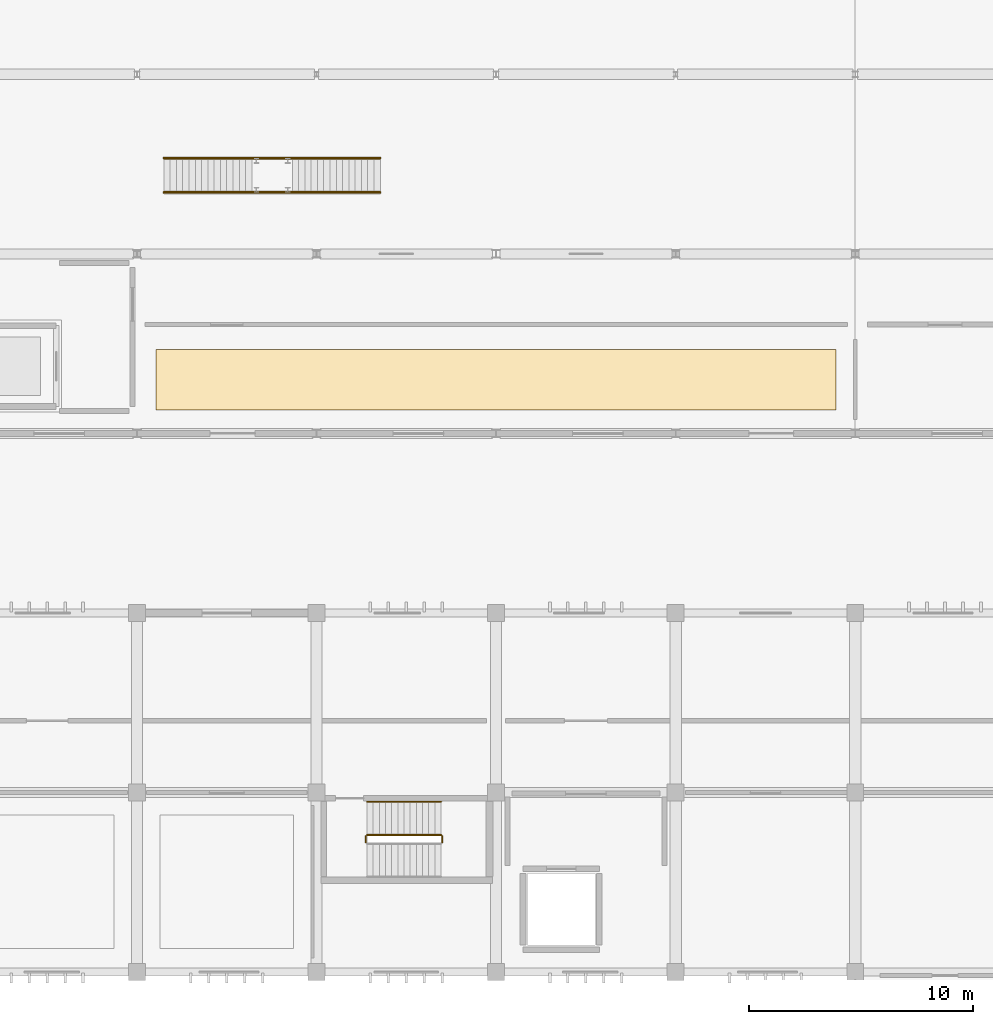
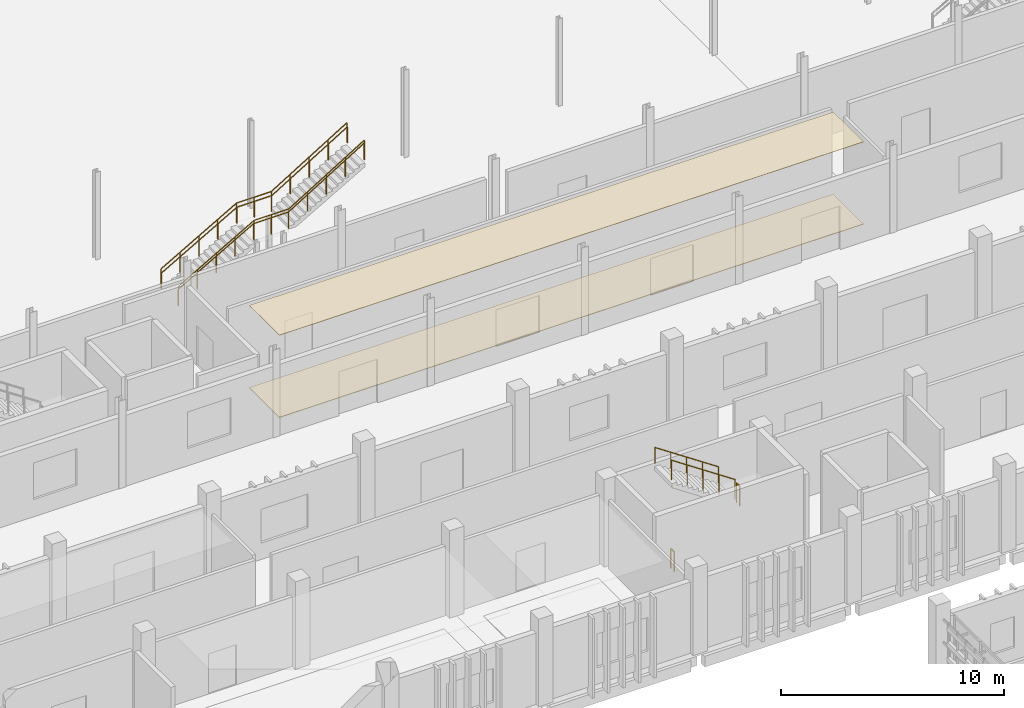
# One storey, part 111 of 117: 8 railings, 2 coverings.
"""IFC4 building model written with IfcOpenShell, lengths in metres."""

from ifc_helpers import new_model, si_unit, direction, frame, origin, origin_2d, place, context, subcontext, project, spatial, polyline, circle, outline, extrude, material, layer, layer_set, type_object, element, save


model = new_model("IFC4")

# Units and contexts
model_context = context("Model", 3, precision=1e-05, world=origin(), true_north=direction((0.0, 1.0)))
body_context = subcontext(model_context, "Body", "Model", "MODEL_VIEW")
ifc_project = project(units=[si_unit("LENGTHUNIT", "METRE"), si_unit("AREAUNIT", "SQUARE_METRE"), si_unit("VOLUMEUNIT", "CUBIC_METRE"), si_unit("PLANEANGLEUNIT", "RADIAN"), si_unit("MASSUNIT", "GRAM", prefix="KILO")], contexts=[model_context])

# Site, building, storey
site_placement = place(None, origin())
site = spatial("IfcSite", under=ifc_project, at=site_placement, CompositionType="ELEMENT")
building_placement = place(site_placement, origin())
building = spatial("IfcBuilding", under=site, at=building_placement, Name="Jelvoka-Kovrelna Polytechnic", CompositionType="ELEMENT")
storey_placement = place(building_placement, origin())
storey = spatial("IfcBuildingStorey", under=building, at=storey_placement, Name="L01", CompositionType="ELEMENT", Elevation=0.0)

# Coverings
ifc_material_1 = material(Name="Mineral fibre acoustic ceiling tile")
ifc_layer_1 = layer(ifc_material_1, 0.02490234375)
ifc_layer_set_1 = layer_set([ifc_layer_1], Name="Mineral fibre acoustic ceiling tile")
covering_type_1 = type_object("IfcCoveringType", Name="Covering_Acoustic_Ceiling_25", PredefinedType="CEILING", material=ifc_layer_set_1)
covering_1_placement = place(storey_placement, frame((0.0, 0.0, 4.510009765625)))
element("IfcCovering", 1, at=covering_1_placement, inside=storey, type_object=covering_type_1, Name="L01 acoustic ceiling 016", PredefinedType="CEILING", context=body_context, shape_type="SweptSolid", body=[
    extrude(outline(polyline([(112.85009765625, 81.050048828125), (143.14990234375, 81.050048828125), (143.14990234375, 83.75), (112.85009765625, 83.75), (112.85009765625, 81.050048828125)])), origin(), (0.0, 0.0, 1.0), 0.02490234375),
])
ifc_material_2 = material(Name="Polished epoxy terrazzo flooring")
ifc_layer_2 = layer(ifc_material_2, 0.030029296875)
ifc_layer_set_2 = layer_set([ifc_layer_2], Name="Polished epoxy terrazzo flooring")
covering_type_2 = type_object("IfcCoveringType", Name="Covering_Terrazzo_Floor_30", PredefinedType="FLOORING", material=ifc_layer_set_2)
covering_2_placement = place(storey_placement, origin())
element("IfcCovering", 2, at=covering_2_placement, inside=storey, type_object=covering_type_2, Name="L01 terrazzo floor finish 016", PredefinedType="FLOORING", context=body_context, shape_type="SweptSolid", body=[
    extrude(outline(polyline([(112.85009765625, 81.050048828125), (143.14990234375, 81.050048828125), (143.14990234375, 83.75), (112.85009765625, 83.75), (112.85009765625, 81.050048828125)])), origin(), (0.0, 0.0, 1.0), 0.030029296875),
])

# Railings
ifc_material_3 = material(Name="Powder-coated steel stair guard", Category="steel")
railing_type_1 = type_object("IfcRailingType", Name="Railing_Stair_Guard_1100", PredefinedType="GUARDRAIL", material=ifc_material_3)
railing_1_placement = place(storey_placement, frame((125.60009765625, 61.780029296875, 2.39990234375)))
element("IfcRailing", 3, at=railing_1_placement, inside=storey, type_object=railing_type_1, Name="L01 ST11 stair guard 2", PredefinedType="GUARDRAIL", context=body_context, shape_type="SweptSolid", body=[
    extrude(circle(Radius=0.02392578125, at=origin_2d()), frame((0.0, 0.0, 1.076171875), z_axis=(0.0, 1.0, 0.0), x_axis=(-1.0, 0.0, 0.0)), (0.0, 0.0, 1.0), 0.280029296875),
    extrude(circle(Radius=0.02099609375, at=origin_2d()), origin(), (0.0, 0.0, 1.0), 1.052001953125),
    extrude(circle(Radius=0.02099609375, at=origin_2d()), frame((0.0, 0.280029296875, 0.0)), (0.0, 0.0, 1.0), 1.052001953125),
])
railing_2_placement = place(storey_placement, frame((125.550048828125, 62.110107421875, 2.584716796875)))
element("IfcRailing", 4, at=railing_2_placement, inside=storey, type_object=railing_type_1, Name="L01 ST11 stair guard 3", PredefinedType="GUARDRAIL", context=body_context, shape_type="SweptSolid", body=[
    extrude(circle(Radius=0.02392578125, at=origin_2d()), frame((0.0, 0.0, 1.076171875), z_axis=(-0.830269453126, 0.0, 0.557362211857), x_axis=(0.0, -1.0, 0.0)), (0.0, 0.0, 1.0), 3.974609375),
    extrude(circle(Radius=0.02099609375, at=origin_2d()), origin(), (0.0, 0.0, 1.0), 1.052001953125),
    extrude(circle(Radius=0.02099609375, at=origin_2d()), frame((-0.824951171875, 0.0, 0.5537109375)), (0.0, 0.0, 1.0), 1.052001953125),
    extrude(circle(Radius=0.02099609375, at=origin_2d()), frame((-1.64990234375, 0.0, 1.107666015625)), (0.0, 0.0, 1.0), 1.052001953125),
    extrude(circle(Radius=0.02099609375, at=origin_2d()), frame((-2.47509765625, 0.0, 1.66162109375)), (0.0, 0.0, 1.0), 1.052001953125),
    extrude(circle(Radius=0.02099609375, at=origin_2d()), frame((-3.300048828125, 0.0, 2.21533203125)), (0.0, 0.0, 1.0), 1.052001953125),
])
railing_3_placement = place(storey_placement, frame((122.199951171875, 61.780029296875, 0.0)))
element("IfcRailing", 5, at=railing_3_placement, inside=storey, type_object=railing_type_1, Name="L01 ST11 stair guard 4", PredefinedType="GUARDRAIL", context=body_context, shape_type="SweptSolid", body=[
    extrude(circle(Radius=0.02392578125, at=origin_2d()), frame((0.0, 0.0, 1.076171875), z_axis=(0.0, 1.0, 0.0), x_axis=(-1.0, 0.0, 0.0)), (0.0, 0.0, 1.0), 0.280029296875),
    extrude(circle(Radius=0.02099609375, at=origin_2d()), origin(), (0.0, 0.0, 1.0), 1.052001953125),
    extrude(circle(Radius=0.02099609375, at=origin_2d()), frame((0.0, 0.280029296875, 0.0)), (0.0, 0.0, 1.0), 1.052001953125),
])
railing_4_placement = place(storey_placement, frame((113.199951171875, 90.715087890625, 0.159912109375)))
element("IfcRailing", 6, at=railing_4_placement, inside=storey, type_object=railing_type_1, Name="L01 ST12 flight guard S", PredefinedType="GUARDRAIL", context=body_context, shape_type="SweptSolid", body=[
    extrude(circle(Radius=0.02392578125, at=origin_2d()), frame((0.0, 0.0, 1.076171875), z_axis=(0.86825312469, 0.0, 0.496121468458), x_axis=(0.0, 1.0, 0.0)), (0.0, 0.0, 1.0), 4.514892578125),
    extrude(circle(Radius=0.02392578125, at=origin_2d()), frame((3.920166015625, 0.0, 3.31591796875), z_axis=(1.0, 0.0, 0.0), x_axis=(0.0, 1.0, 0.0)), (0.0, 0.0, 1.0), 1.7998046875),
    extrude(circle(Radius=0.02392578125, at=origin_2d()), frame((5.719970703125, 0.0, 3.31591796875), z_axis=(0.852846959695, 0.0, 0.522160955394), x_axis=(0.0, 1.0, 0.0)), (0.0, 0.0, 1.0), 4.5966796875),
    extrude(circle(Radius=0.02099609375, at=origin_2d()), origin(), (0.0, 0.0, 1.0), 1.052001953125),
    extrude(circle(Radius=0.02099609375, at=origin_2d()), frame((0.97998046875, 0.0, 0.56005859375)), (0.0, 0.0, 1.0), 1.052001953125),
    extrude(circle(Radius=0.02099609375, at=origin_2d()), frame((1.9599609375, 0.0, 1.1201171875)), (0.0, 0.0, 1.0), 1.052001953125),
    extrude(circle(Radius=0.02099609375, at=origin_2d()), frame((2.940185546875, 0.0, 1.679931640625)), (0.0, 0.0, 1.0), 1.052001953125),
    extrude(circle(Radius=0.02099609375, at=origin_2d()), frame((3.920166015625, 0.0, 2.239990234375)), (0.0, 0.0, 1.0), 1.052001953125),
    extrude(circle(Radius=0.02099609375, at=origin_2d()), frame((4.820068359375, 0.0, 2.239990234375)), (0.0, 0.0, 1.0), 1.052001953125),
    extrude(circle(Radius=0.02099609375, at=origin_2d()), frame((5.719970703125, 0.0, 2.239990234375)), (0.0, 0.0, 1.0), 1.052001953125),
    extrude(circle(Radius=0.02099609375, at=origin_2d()), frame((6.699951171875, 0.0, 2.840087890625)), (0.0, 0.0, 1.0), 1.052001953125),
    extrude(circle(Radius=0.02099609375, at=origin_2d()), frame((7.68017578125, 0.0, 3.43994140625)), (0.0, 0.0, 1.0), 1.052001953125),
    extrude(circle(Radius=0.02099609375, at=origin_2d()), frame((8.66015625, 0.0, 4.0400390625)), (0.0, 0.0, 1.0), 1.052001953125),
    extrude(circle(Radius=0.02099609375, at=origin_2d()), frame((9.64013671875, 0.0, 4.64013671875)), (0.0, 0.0, 1.0), 1.052001953125),
])
railing_5_placement = place(storey_placement, frame((113.199951171875, 92.284912109375, 0.159912109375)))
element("IfcRailing", 7, at=railing_5_placement, inside=storey, type_object=railing_type_1, Name="L01 ST12 flight guard N", PredefinedType="GUARDRAIL", context=body_context, shape_type="SweptSolid", body=[
    extrude(circle(Radius=0.02392578125, at=origin_2d()), frame((0.0, 0.0, 1.076171875), z_axis=(0.86825312469, 0.0, 0.496121468458), x_axis=(0.0, 1.0, 0.0)), (0.0, 0.0, 1.0), 4.514892578125),
    extrude(circle(Radius=0.02392578125, at=origin_2d()), frame((3.920166015625, 0.0, 3.31591796875), z_axis=(1.0, 0.0, 0.0), x_axis=(0.0, 1.0, 0.0)), (0.0, 0.0, 1.0), 1.7998046875),
    extrude(circle(Radius=0.02392578125, at=origin_2d()), frame((5.719970703125, 0.0, 3.31591796875), z_axis=(0.852846959695, 0.0, 0.522160955394), x_axis=(0.0, 1.0, 0.0)), (0.0, 0.0, 1.0), 4.5966796875),
    extrude(circle(Radius=0.02099609375, at=origin_2d()), origin(), (0.0, 0.0, 1.0), 1.052001953125),
    extrude(circle(Radius=0.02099609375, at=origin_2d()), frame((0.97998046875, 0.0, 0.56005859375)), (0.0, 0.0, 1.0), 1.052001953125),
    extrude(circle(Radius=0.02099609375, at=origin_2d()), frame((1.9599609375, 0.0, 1.1201171875)), (0.0, 0.0, 1.0), 1.052001953125),
    extrude(circle(Radius=0.02099609375, at=origin_2d()), frame((2.940185546875, 0.0, 1.679931640625)), (0.0, 0.0, 1.0), 1.052001953125),
    extrude(circle(Radius=0.02099609375, at=origin_2d()), frame((3.920166015625, 0.0, 2.239990234375)), (0.0, 0.0, 1.0), 1.052001953125),
    extrude(circle(Radius=0.02099609375, at=origin_2d()), frame((4.820068359375, 0.0, 2.239990234375)), (0.0, 0.0, 1.0), 1.052001953125),
    extrude(circle(Radius=0.02099609375, at=origin_2d()), frame((5.719970703125, 0.0, 2.239990234375)), (0.0, 0.0, 1.0), 1.052001953125),
    extrude(circle(Radius=0.02099609375, at=origin_2d()), frame((6.699951171875, 0.0, 2.840087890625)), (0.0, 0.0, 1.0), 1.052001953125),
    extrude(circle(Radius=0.02099609375, at=origin_2d()), frame((7.68017578125, 0.0, 3.43994140625)), (0.0, 0.0, 1.0), 1.052001953125),
    extrude(circle(Radius=0.02099609375, at=origin_2d()), frame((8.66015625, 0.0, 4.0400390625)), (0.0, 0.0, 1.0), 1.052001953125),
    extrude(circle(Radius=0.02099609375, at=origin_2d()), frame((9.64013671875, 0.0, 4.64013671875)), (0.0, 0.0, 1.0), 1.052001953125),
])
ifc_material_4 = material(Name="Brushed stainless steel handrail", Category="steel")
railing_type_2 = type_object("IfcRailingType", Name="Railing_Stair_Handrail_900", PredefinedType="HANDRAIL", material=ifc_material_4)
railing_6_placement = place(storey_placement, frame((125.550048828125, 63.590087890625, 2.584716796875)))
element("IfcRailing", 8, at=railing_6_placement, inside=storey, type_object=railing_type_2, Name="L01 ST11 stair handrail 2", PredefinedType="HANDRAIL", context=body_context, shape_type="SweptSolid", body=[
    extrude(circle(Radius=0.02392578125, at=origin_2d()), frame((0.0, 0.0, 0.8759765625), z_axis=(-0.830269453126, 0.0, 0.557362211857), x_axis=(0.0, -1.0, 0.0)), (0.0, 0.0, 1.0), 3.974609375),
    extrude(circle(Radius=0.02099609375, at=origin_2d()), origin(), (0.0, 0.0, 1.0), 0.851806640625),
    extrude(circle(Radius=0.02099609375, at=origin_2d()), frame((-0.824951171875, 0.0, 0.5537109375)), (0.0, 0.0, 1.0), 0.851806640625),
    extrude(circle(Radius=0.02099609375, at=origin_2d()), frame((-1.64990234375, 0.0, 1.107666015625)), (0.0, 0.0, 1.0), 0.851806640625),
    extrude(circle(Radius=0.02099609375, at=origin_2d()), frame((-2.47509765625, 0.0, 1.66162109375)), (0.0, 0.0, 1.0), 0.851806640625),
    extrude(circle(Radius=0.02099609375, at=origin_2d()), frame((-3.300048828125, 0.0, 2.21533203125)), (0.0, 0.0, 1.0), 0.851806640625),
])
railing_7_placement = place(storey_placement, frame((113.199951171875, 90.7548828125, 0.159912109375)))
element("IfcRailing", 9, at=railing_7_placement, inside=storey, type_object=railing_type_2, Name="L01 ST12 handrail S", PredefinedType="HANDRAIL", context=body_context, shape_type="SweptSolid", body=[
    extrude(circle(Radius=0.02392578125, at=origin_2d()), frame((0.0, 0.0, 0.8759765625), z_axis=(0.86825312469, 0.0, 0.496121468458), x_axis=(0.0, 1.0, 0.0)), (0.0, 0.0, 1.0), 4.514892578125),
    extrude(circle(Radius=0.02392578125, at=origin_2d()), frame((3.920166015625, 0.0, 3.11572265625), z_axis=(1.0, 0.0, 0.0), x_axis=(0.0, 1.0, 0.0)), (0.0, 0.0, 1.0), 1.7998046875),
    extrude(circle(Radius=0.02392578125, at=origin_2d()), frame((5.719970703125, 0.0, 3.11572265625), z_axis=(0.852846959695, 0.0, 0.522160955394), x_axis=(0.0, 1.0, 0.0)), (0.0, 0.0, 1.0), 4.5966796875),
    extrude(circle(Radius=0.02099609375, at=origin_2d()), origin(), (0.0, 0.0, 1.0), 0.851806640625),
    extrude(circle(Radius=0.02099609375, at=origin_2d()), frame((0.97998046875, 0.0, 0.56005859375)), (0.0, 0.0, 1.0), 0.851806640625),
    extrude(circle(Radius=0.02099609375, at=origin_2d()), frame((1.9599609375, 0.0, 1.1201171875)), (0.0, 0.0, 1.0), 0.851806640625),
    extrude(circle(Radius=0.02099609375, at=origin_2d()), frame((2.940185546875, 0.0, 1.679931640625)), (0.0, 0.0, 1.0), 0.851806640625),
    extrude(circle(Radius=0.02099609375, at=origin_2d()), frame((3.920166015625, 0.0, 2.239990234375)), (0.0, 0.0, 1.0), 0.851806640625),
    extrude(circle(Radius=0.02099609375, at=origin_2d()), frame((4.820068359375, 0.0, 2.239990234375)), (0.0, 0.0, 1.0), 0.851806640625),
    extrude(circle(Radius=0.02099609375, at=origin_2d()), frame((5.719970703125, 0.0, 2.239990234375)), (0.0, 0.0, 1.0), 0.851806640625),
    extrude(circle(Radius=0.02099609375, at=origin_2d()), frame((6.699951171875, 0.0, 2.840087890625)), (0.0, 0.0, 1.0), 0.851806640625),
    extrude(circle(Radius=0.02099609375, at=origin_2d()), frame((7.68017578125, 0.0, 3.43994140625)), (0.0, 0.0, 1.0), 0.851806640625),
    extrude(circle(Radius=0.02099609375, at=origin_2d()), frame((8.66015625, 0.0, 4.0400390625)), (0.0, 0.0, 1.0), 0.851806640625),
    extrude(circle(Radius=0.02099609375, at=origin_2d()), frame((9.64013671875, 0.0, 4.64013671875)), (0.0, 0.0, 1.0), 0.851806640625),
])
railing_8_placement = place(storey_placement, frame((113.199951171875, 92.2451171875, 0.159912109375)))
element("IfcRailing", 10, at=railing_8_placement, inside=storey, type_object=railing_type_2, Name="L01 ST12 handrail N", PredefinedType="HANDRAIL", context=body_context, shape_type="SweptSolid", body=[
    extrude(circle(Radius=0.02392578125, at=origin_2d()), frame((0.0, 0.0, 0.8759765625), z_axis=(0.86825312469, 0.0, 0.496121468458), x_axis=(0.0, 1.0, 0.0)), (0.0, 0.0, 1.0), 4.514892578125),
    extrude(circle(Radius=0.02392578125, at=origin_2d()), frame((3.920166015625, 0.0, 3.11572265625), z_axis=(1.0, 0.0, 0.0), x_axis=(0.0, 1.0, 0.0)), (0.0, 0.0, 1.0), 1.7998046875),
    extrude(circle(Radius=0.02392578125, at=origin_2d()), frame((5.719970703125, 0.0, 3.11572265625), z_axis=(0.852846959695, 0.0, 0.522160955394), x_axis=(0.0, 1.0, 0.0)), (0.0, 0.0, 1.0), 4.5966796875),
    extrude(circle(Radius=0.02099609375, at=origin_2d()), origin(), (0.0, 0.0, 1.0), 0.851806640625),
    extrude(circle(Radius=0.02099609375, at=origin_2d()), frame((0.97998046875, 0.0, 0.56005859375)), (0.0, 0.0, 1.0), 0.851806640625),
    extrude(circle(Radius=0.02099609375, at=origin_2d()), frame((1.9599609375, 0.0, 1.1201171875)), (0.0, 0.0, 1.0), 0.851806640625),
    extrude(circle(Radius=0.02099609375, at=origin_2d()), frame((2.940185546875, 0.0, 1.679931640625)), (0.0, 0.0, 1.0), 0.851806640625),
    extrude(circle(Radius=0.02099609375, at=origin_2d()), frame((3.920166015625, 0.0, 2.239990234375)), (0.0, 0.0, 1.0), 0.851806640625),
    extrude(circle(Radius=0.02099609375, at=origin_2d()), frame((4.820068359375, 0.0, 2.239990234375)), (0.0, 0.0, 1.0), 0.851806640625),
    extrude(circle(Radius=0.02099609375, at=origin_2d()), frame((5.719970703125, 0.0, 2.239990234375)), (0.0, 0.0, 1.0), 0.851806640625),
    extrude(circle(Radius=0.02099609375, at=origin_2d()), frame((6.699951171875, 0.0, 2.840087890625)), (0.0, 0.0, 1.0), 0.851806640625),
    extrude(circle(Radius=0.02099609375, at=origin_2d()), frame((7.68017578125, 0.0, 3.43994140625)), (0.0, 0.0, 1.0), 0.851806640625),
    extrude(circle(Radius=0.02099609375, at=origin_2d()), frame((8.66015625, 0.0, 4.0400390625)), (0.0, 0.0, 1.0), 0.851806640625),
    extrude(circle(Radius=0.02099609375, at=origin_2d()), frame((9.64013671875, 0.0, 4.64013671875)), (0.0, 0.0, 1.0), 0.851806640625),
])

save(model, "model.ifc")
